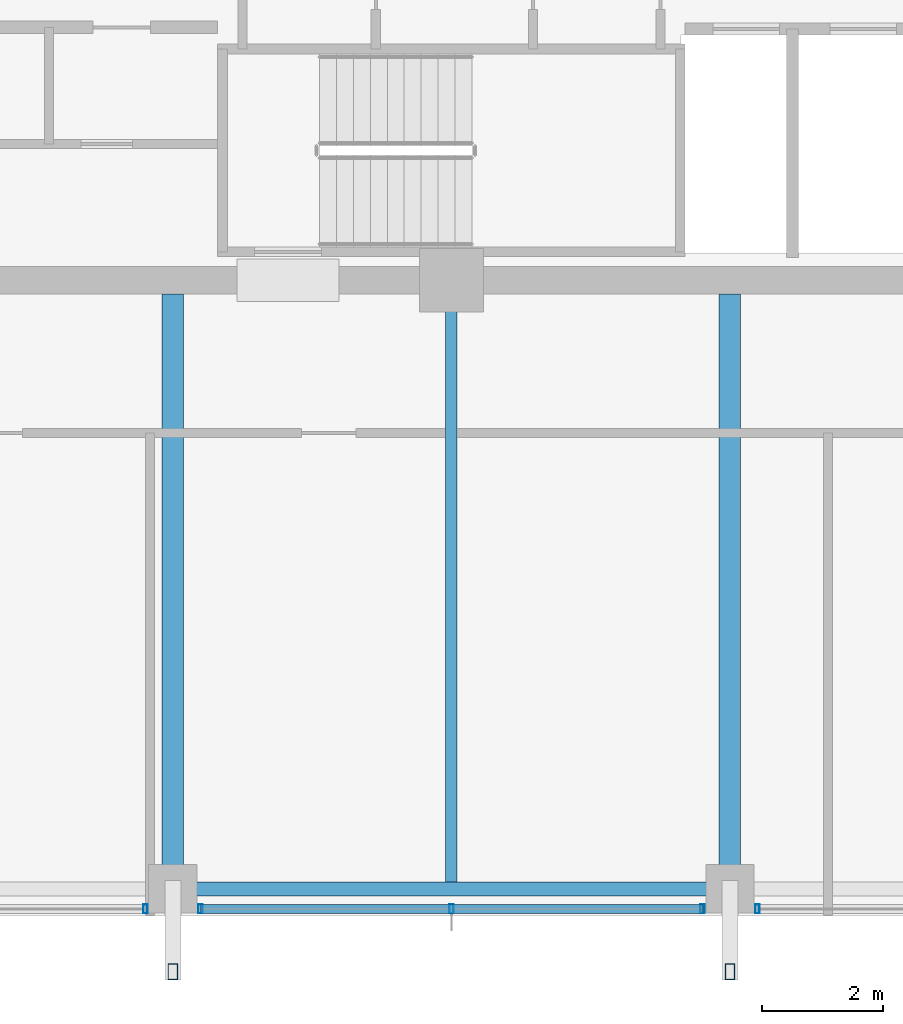
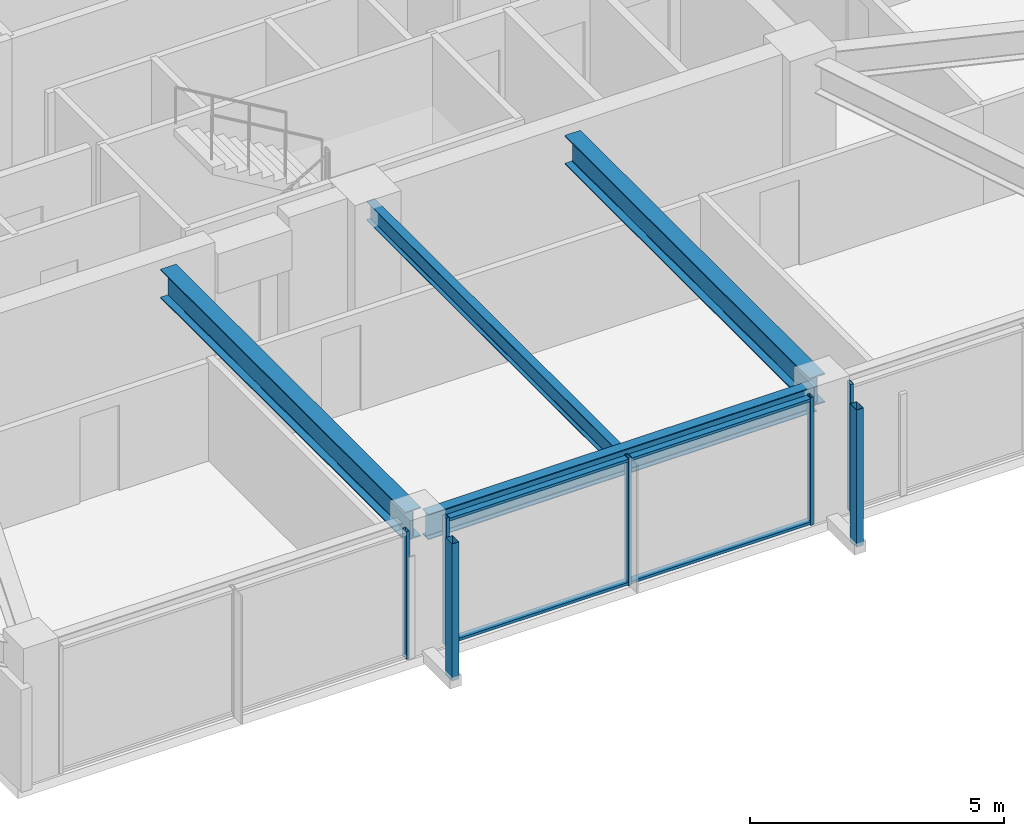
# One storey, part 4 of 33: 9 members, 4 beams, 3 elements without a shape of their own.
"""IFC4 building model written with IfcOpenShell, lengths in metres."""

from ifc_helpers import new_model, si_unit, direction, frame, origin, origin_2d, place, context, subcontext, project, spatial, hollow_rectangle, i_section, extrude, material, material_profile, profile_set, type_object, element, aggregate, save


model = new_model("IFC4")

# Units and contexts
model_context = context("Model", 3, precision=1e-05, world=origin(), true_north=direction((0.0, 1.0)))
body_context = subcontext(model_context, "Body", "Model", "MODEL_VIEW")
ifc_project = project(units=[si_unit("LENGTHUNIT", "METRE"), si_unit("AREAUNIT", "SQUARE_METRE"), si_unit("VOLUMEUNIT", "CUBIC_METRE"), si_unit("PLANEANGLEUNIT", "RADIAN"), si_unit("MASSUNIT", "GRAM", prefix="KILO")], contexts=[model_context])

# Site, building, storey
site_placement = place(None, origin())
site = spatial("IfcSite", under=ifc_project, at=site_placement, CompositionType="ELEMENT")
building_placement = place(site_placement, origin())
building = spatial("IfcBuilding", under=site, at=building_placement, Name="Kolvaren Belvedere", CompositionType="ELEMENT")
storey_placement = place(building_placement, frame((0.0, 0.0, 209.699951171875)))
storey = spatial("IfcBuildingStorey", under=building, at=storey_placement, Name="L61", CompositionType="ELEMENT", Elevation=209.699951171875)

# Beams
ifc_material_1 = material(Name="Structural steel ASTM A992 Grade 50", Category="steel")
ifc_material_profile_1 = material_profile(ifc_material_1, i_section(OverallWidth=0.35498046875, OverallDepth=0.696044921875, WebThickness=0.015380859375, FlangeThickness=0.02490234375, FilletRadius=0.02197265625, at=origin_2d()), Name="W27X146")
ifc_profile_set_1 = profile_set([ifc_material_profile_1], Name="Structural steel ASTM A992 Grade 50")
beam_type_1 = type_object("IfcBeamType", Name="BM-GIRD-W27X146", PredefinedType="BEAM", material=ifc_profile_set_1)
for number, where, z_axis, x_axis, name in (
    (1, (4.60009765625, -10.125, 2.73193359375), (0.0, -1.0, 0.0), (1.0, 0.0, 0.0), "L61 South Radial Girder P"),
    (2, (-4.60009765625, -10.125, 2.73193359375), (0.0, -1.0, 0.0), (1.0, 0.0, 0.0), "L61 South Radial Girder M"),
):
    element("IfcBeam", number, at=place(storey_placement, frame(where, z_axis=z_axis, x_axis=x_axis)), inside=storey, type_object=beam_type_1, Name=name, PredefinedType="BEAM", context=body_context, shape_type="SweptSolid", body=[
        extrude(i_section(OverallWidth=0.35498046875, OverallDepth=0.696044921875, WebThickness=0.015380859375, FlangeThickness=0.02490234375, FilletRadius=0.02197265625, at=origin_2d()), origin(), (0.0, 0.0, 1.0), 9.64501953125),
    ])
ifc_material_2 = material(Name="Structural steel ASTM A992 Grade 50", Category="steel")
ifc_material_profile_2 = material_profile(ifc_material_2, i_section(OverallWidth=0.19091796875, OverallDepth=0.4599609375, WebThickness=0.010009765625, FlangeThickness=0.01611328125, FilletRadius=0.014892578125, at=origin_2d()), Name="W18X55")
ifc_profile_set_2 = profile_set([ifc_material_profile_2], Name="Structural steel ASTM A992 Grade 50")
beam_type_2 = type_object("IfcBeamType", Name="BM-JOIST-W18X55", PredefinedType="BEAM", material=ifc_profile_set_2)
beam_1_placement = place(storey_placement, frame((0.0, -10.125, 2.85009765625), z_axis=(0.0, -1.0, 0.0), x_axis=(1.0, 0.0, 0.0)))
element("IfcBeam", 3, at=beam_1_placement, inside=storey, type_object=beam_type_2, Name="L61 South Centre Floor Beam", PredefinedType="BEAM", context=body_context, shape_type="SweptSolid", body=[
    extrude(i_section(OverallWidth=0.19091796875, OverallDepth=0.4599609375, WebThickness=0.010009765625, FlangeThickness=0.01611328125, FilletRadius=0.014892578125, at=origin_2d()), origin(), (0.0, 0.0, 1.0), 9.71044921875),
])
ifc_material_3 = material(Name="Structural steel ASTM A992 Grade 50", Category="steel")
ifc_material_profile_3 = material_profile(ifc_material_3, i_section(OverallWidth=0.22900390625, OverallDepth=0.612060546875, WebThickness=0.011962890625, FlangeThickness=0.01953125, FilletRadius=0.01806640625, at=origin_2d()), Name="W24X84")
ifc_profile_set_3 = profile_set([ifc_material_profile_3], Name="Structural steel ASTM A992 Grade 50")
beam_type_3 = type_object("IfcBeamType", Name="BM-SPAN-W24X84", PredefinedType="SPANDREL", material=ifc_profile_set_3)
beam_2_placement = place(storey_placement, frame((-4.419921875, -19.949951171875, 2.774169921875), z_axis=(1.0, 0.0, 0.0), x_axis=(0.0, 1.0, 0.0)))
element("IfcBeam", 4, at=beam_2_placement, inside=storey, type_object=beam_type_3, Name="L61 Perimeter Spandrel S2-S3", PredefinedType="SPANDREL", context=body_context, shape_type="SweptSolid", body=[
    extrude(i_section(OverallWidth=0.22900390625, OverallDepth=0.612060546875, WebThickness=0.011962890625, FlangeThickness=0.01953125, FilletRadius=0.01806640625, at=origin_2d()), origin(), (0.0, 0.0, 1.0), 8.83984375),
])

# Curtain wall, member
ifc_material_4 = material(Name="Anodised pale-metal aluminium AA 6063-T6", Category="aluminium")
curtain_wall_type = type_object("IfcCurtainWallType", Name="CW-Z5-HIGH", PredefinedType="NOTDEFINED", material=ifc_material_4)
curtain_wall_1_placement = place(storey_placement, origin())
curtain_wall_1 = element("IfcCurtainWall", 5, at=curtain_wall_1_placement, inside=storey, type_object=curtain_wall_type, Name="L61 Unitised Curtain Wall FCW-L61-S-B1", PredefinedType="NOTDEFINED")
ifc_material_5 = material(Name="Anodised pale-metal aluminium AA 6063-T6", Category="aluminium")
ifc_material_profile_4 = material_profile(ifc_material_5, hollow_rectangle(XDim=0.070068359375, YDim=0.14990234375, WallThickness=0.004150390625, at=origin_2d()), Name="ALU-MUL-150X70")
ifc_profile_set_4 = profile_set([ifc_material_profile_4], Name="Anodised pale-metal aluminium AA 6063-T6")
member_type_1 = type_object("IfcMemberType", Name="CW-MUL-150", PredefinedType="MULLION", material=ifc_profile_set_4)
member_1_placement = place(storey_placement, frame((5.054931640625, -20.280029296875, 0.0), z_axis=(0.0, 0.0, 1.0), x_axis=(1.0, 0.0, 0.0)))
member_1 = element("IfcMember", 6, at=member_1_placement, type_object=member_type_1, Name="FCW-L61-S-B1 Unitised Mullion 3", PredefinedType="MULLION", context=body_context, shape_type="SweptSolid", body=[
    extrude(hollow_rectangle(XDim=0.070068359375, YDim=0.14990234375, WallThickness=0.004150390625, at=origin_2d()), origin(), (0.0, 0.0, 1.0), 3.080078125),
])
aggregate(curtain_wall_1, [member_1])

# Curtain wall, members
curtain_wall_2_placement = place(storey_placement, origin())
curtain_wall_2 = element("IfcCurtainWall", 7, at=curtain_wall_2_placement, inside=storey, type_object=curtain_wall_type, Name="L61 Unitised Curtain Wall FCW-L61-S-B2", PredefinedType="NOTDEFINED")
member_2_placement = place(storey_placement, frame((4.14501953125, -20.280029296875, 0.0), z_axis=(0.0, 0.0, 1.0), x_axis=(1.0, 0.0, 0.0)))
member_2 = element("IfcMember", 8, at=member_2_placement, type_object=member_type_1, Name="FCW-L61-S-B2 Unitised Mullion 1", PredefinedType="MULLION", context=body_context, shape_type="SweptSolid", body=[
    extrude(hollow_rectangle(XDim=0.070068359375, YDim=0.14990234375, WallThickness=0.004150390625, at=origin_2d()), origin(), (0.0, 0.0, 1.0), 3.080078125),
])
member_3_placement = place(storey_placement, frame((0.0, -20.280029296875, 0.0), z_axis=(0.0, 0.0, 1.0), x_axis=(1.0, 0.0, 0.0)))
member_3 = element("IfcMember", 9, at=member_3_placement, type_object=member_type_1, Name="FCW-L61-S-B2 Unitised Mullion 2", PredefinedType="MULLION", context=body_context, shape_type="SweptSolid", body=[
    extrude(hollow_rectangle(XDim=0.070068359375, YDim=0.14990234375, WallThickness=0.004150390625, at=origin_2d()), origin(), (0.0, 0.0, 1.0), 3.080078125),
])
member_4_placement = place(storey_placement, frame((-4.14501953125, -20.280029296875, 0.0), z_axis=(0.0, 0.0, 1.0), x_axis=(1.0, 0.0, 0.0)))
member_4 = element("IfcMember", 10, at=member_4_placement, type_object=member_type_1, Name="FCW-L61-S-B2 Unitised Mullion 3", PredefinedType="MULLION", context=body_context, shape_type="SweptSolid", body=[
    extrude(hollow_rectangle(XDim=0.070068359375, YDim=0.14990234375, WallThickness=0.004150390625, at=origin_2d()), origin(), (0.0, 0.0, 1.0), 3.080078125),
])

# Curtain wall, member
curtain_wall_3_placement = place(storey_placement, origin())
curtain_wall_3 = element("IfcCurtainWall", 11, at=curtain_wall_3_placement, inside=storey, type_object=curtain_wall_type, Name="L61 Unitised Curtain Wall FCW-L61-S-B3", PredefinedType="NOTDEFINED")
member_5_placement = place(storey_placement, frame((-5.054931640625, -20.280029296875, 0.0), z_axis=(0.0, 0.0, 1.0), x_axis=(1.0, 0.0, 0.0)))
member_5 = element("IfcMember", 12, at=member_5_placement, type_object=member_type_1, Name="FCW-L61-S-B3 Unitised Mullion 1", PredefinedType="MULLION", context=body_context, shape_type="SweptSolid", body=[
    extrude(hollow_rectangle(XDim=0.070068359375, YDim=0.14990234375, WallThickness=0.004150390625, at=origin_2d()), origin(), (0.0, 0.0, 1.0), 3.080078125),
])
aggregate(curtain_wall_3, [member_5])

# Member
ifc_material_6 = material(Name="Anodised pale-metal aluminium AA 6063-T6", Category="aluminium")
ifc_material_profile_5 = material_profile(ifc_material_6, hollow_rectangle(XDim=0.06494140625, YDim=0.14990234375, WallThickness=0.00390625, at=origin_2d()), Name="ALU-TRN-150X65")
ifc_profile_set_5 = profile_set([ifc_material_profile_5], Name="Anodised pale-metal aluminium AA 6063-T6")
member_type_2 = type_object("IfcMemberType", Name="CW-TRN-150", PredefinedType="USERDEFINED", material=ifc_profile_set_5)
member_6_placement = place(storey_placement, frame((4.14501953125, -20.280029296875, 0.06005859375), z_axis=(-1.0, 0.0, 0.0), x_axis=(0.0, 0.0, 1.0)))
member_6 = element("IfcMember", 13, at=member_6_placement, type_object=member_type_2, Name="FCW-L61-S-B2 Sill Transom", ObjectType="TRANSOM", PredefinedType="USERDEFINED", context=body_context, shape_type="SweptSolid", body=[
    extrude(hollow_rectangle(XDim=0.06494140625, YDim=0.14990234375, WallThickness=0.00390625, at=origin_2d()), origin(), (0.0, 0.0, 1.0), 8.2900390625),
])

member_7_placement = place(storey_placement, frame((4.14501953125, -20.280029296875, 3.02001953125), z_axis=(-1.0, 0.0, 0.0), x_axis=(0.0, 0.0, 1.0)))
member_7 = element("IfcMember", 14, at=member_7_placement, type_object=member_type_2, Name="FCW-L61-S-B2 Head Transom", ObjectType="TRANSOM", PredefinedType="USERDEFINED", context=body_context, shape_type="SweptSolid", body=[
    extrude(hollow_rectangle(XDim=0.06494140625, YDim=0.14990234375, WallThickness=0.00390625, at=origin_2d()), origin(), (0.0, 0.0, 1.0), 8.2900390625),
])

aggregate(curtain_wall_2, [member_2, member_3, member_4, member_6, member_7])

# Members
ifc_material_7 = material(Name="Anodised pale-metal aluminium AA 6063-T6", Category="aluminium")
ifc_material_profile_6 = material_profile(ifc_material_7, hollow_rectangle(XDim=0.159912109375, YDim=0.260009765625, WallThickness=0.006591796875, at=origin_2d()), Name="ALU-PF-260X160")
ifc_profile_set_6 = profile_set([ifc_material_profile_6], Name="Anodised pale-metal aluminium AA 6063-T6")
member_type_3 = type_object("IfcMemberType", Name="PF-FRAME-260", PredefinedType="USERDEFINED", material=ifc_profile_set_6)
for number, where, z_axis, x_axis, name in (
    (15, (4.60009765625, -21.320068359375, 0.0), (0.0, 0.0, 1.0), (1.0, 0.0, 0.0), "L61 Outboard Picture-Frame Vertical S1"),
    (16, (-4.60009765625, -21.320068359375, 0.0), (0.0, 0.0, 1.0), (1.0, 0.0, 0.0), "L61 Outboard Picture-Frame Vertical S2"),
):
    element("IfcMember", number, at=place(storey_placement, frame(where, z_axis=z_axis, x_axis=x_axis)), inside=storey, type_object=member_type_3, Name=name, ObjectType="PICTURE FRAME FIN", PredefinedType="USERDEFINED", context=body_context, shape_type="SweptSolid", body=[
        extrude(hollow_rectangle(XDim=0.159912109375, YDim=0.260009765625, WallThickness=0.006591796875, at=origin_2d()), origin(), (0.0, 0.0, 1.0), 3.300048828125),
    ])

save(model, "model.ifc")
